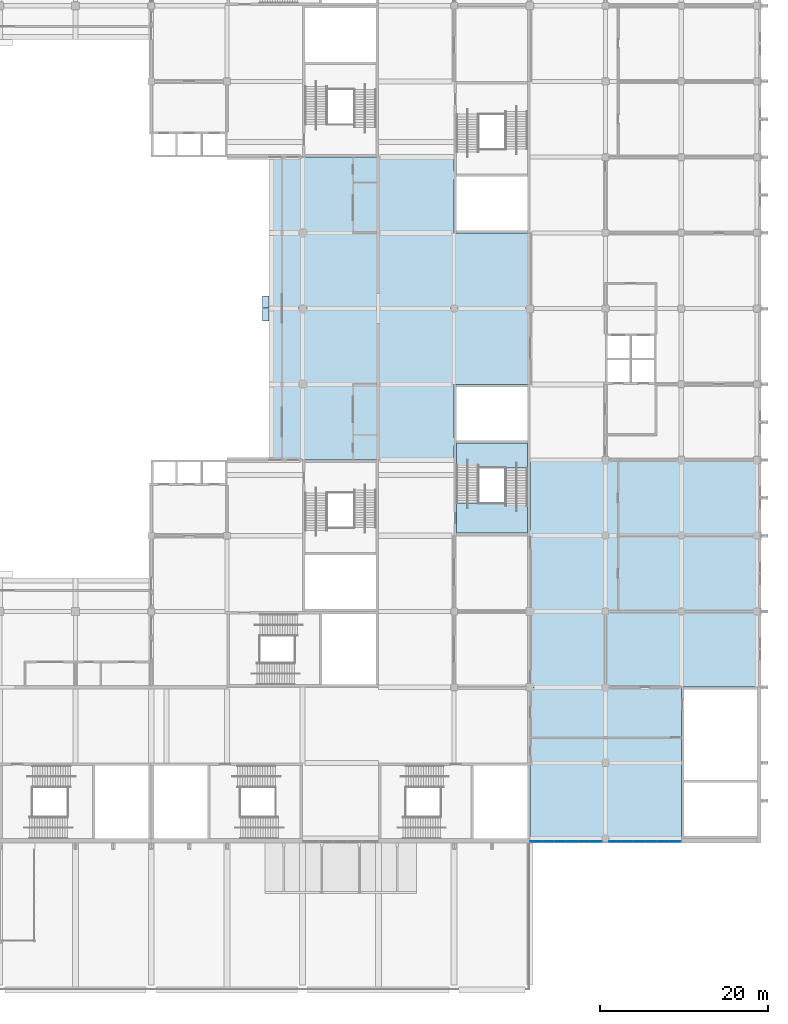
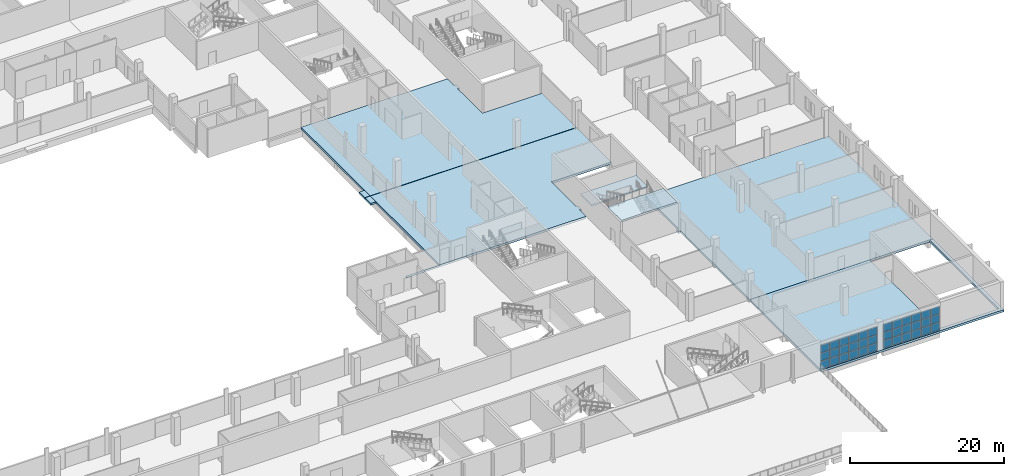
# One storey, part 85 of 168: 36 plates, 8 slabs, 3 elements without a shape of their own.
"""IFC4 building model written with IfcOpenShell, lengths in metres."""

from ifc_helpers import new_model, si_unit, direction, frame, origin, origin_2d, place, context, subcontext, project, spatial, polyline, rectangle, outline, extrude, material, layer, layer_set, type_object, element, aggregate, save


model = new_model("IFC4")

# Units and contexts
model_context = context("Model", 3, precision=1e-05, world=origin(), true_north=direction((0.0, 1.0)))
body_context = subcontext(model_context, "Body", "Model", "MODEL_VIEW")
ifc_project = project(units=[si_unit("LENGTHUNIT", "METRE"), si_unit("AREAUNIT", "SQUARE_METRE"), si_unit("VOLUMEUNIT", "CUBIC_METRE"), si_unit("PLANEANGLEUNIT", "RADIAN"), si_unit("MASSUNIT", "GRAM", prefix="KILO")], contexts=[model_context])

# Site, building, storey
site_placement = place(None, origin())
site = spatial("IfcSite", under=ifc_project, at=site_placement, CompositionType="ELEMENT")
building_placement = place(site_placement, origin())
building = spatial("IfcBuilding", under=site, at=building_placement, Name="Silverbay Arena", CompositionType="ELEMENT")
storey_placement = place(building_placement, frame((0.0, 0.0, 7.0)))
storey = spatial("IfcBuildingStorey", under=building, at=storey_placement, Name="L01", CompositionType="ELEMENT", Elevation=7.0)

# Curtain wall, plates
ifc_material_1 = material(Name="Aluminium framed curtain wall", Category="aluminium")
curtain_wall_type = type_object("IfcCurtainWallType", Name="Curtain wall 8600 x 3900", PredefinedType="NOTDEFINED", material=ifc_material_1)
curtain_wall_1_placement = place(storey_placement, origin())
curtain_wall_1 = element("IfcCurtainWall", 1, at=curtain_wall_1_placement, inside=storey, type_object=curtain_wall_type, Name="South curtain wall L01 bay 21", PredefinedType="NOTDEFINED")
ifc_material_2 = material(Name="Laminated glass", Category="glass")
ifc_layer_1 = layer(ifc_material_2, 0.028076171875)
ifc_layer_set_1 = layer_set([ifc_layer_1], Name="Laminated glass")
plate_type = type_object("IfcPlateType", Name="Glass panel 28", PredefinedType="CURTAIN_PANEL", material=ifc_layer_set_1)
plate_1_placement = place(storey_placement, frame((207.731689453125, 17.669921875, 0.050048828125), z_axis=(0.0, 0.0, 1.0), x_axis=(1.0, 0.0, 0.0)))
plate_1 = element("IfcPlate", 2, at=plate_1_placement, type_object=plate_type, Name="CW1 panel 1.1", PredefinedType="CURTAIN_PANEL", context=body_context, shape_type="SweptSolid", body=[
    extrude(rectangle(XDim=1.34326171875, YDim=0.028076171875, at=origin_2d()), origin(), (0.0, 0.0, 1.0), 1.22509765625),
])
plate_2_placement = place(storey_placement, frame((207.731689453125, 17.669921875, 1.324951171875), z_axis=(0.0, 0.0, 1.0), x_axis=(1.0, 0.0, 0.0)))
plate_2 = element("IfcPlate", 3, at=plate_2_placement, type_object=plate_type, Name="CW1 panel 1.2", PredefinedType="CURTAIN_PANEL", context=body_context, shape_type="SweptSolid", body=[
    extrude(rectangle(XDim=1.34326171875, YDim=0.028076171875, at=origin_2d()), origin(), (0.0, 0.0, 1.0), 1.25),
])
plate_3_placement = place(storey_placement, frame((207.731689453125, 17.669921875, 2.625), z_axis=(0.0, 0.0, 1.0), x_axis=(1.0, 0.0, 0.0)))
plate_3 = element("IfcPlate", 4, at=plate_3_placement, type_object=plate_type, Name="CW1 panel 1.3", PredefinedType="CURTAIN_PANEL", context=body_context, shape_type="SweptSolid", body=[
    extrude(rectangle(XDim=1.34326171875, YDim=0.028076171875, at=origin_2d()), origin(), (0.0, 0.0, 1.0), 1.22509765625),
])
plate_4_placement = place(storey_placement, frame((209.14990234375, 17.669921875, 0.050048828125), z_axis=(0.0, 0.0, 1.0), x_axis=(1.0, 0.0, 0.0)))
plate_4 = element("IfcPlate", 5, at=plate_4_placement, type_object=plate_type, Name="CW1 panel 2.1", PredefinedType="CURTAIN_PANEL", context=body_context, shape_type="SweptSolid", body=[
    extrude(rectangle(XDim=1.373291015625, YDim=0.028076171875, at=origin_2d()), origin(), (0.0, 0.0, 1.0), 1.22509765625),
])
plate_5_placement = place(storey_placement, frame((209.14990234375, 17.669921875, 1.324951171875), z_axis=(0.0, 0.0, 1.0), x_axis=(1.0, 0.0, 0.0)))
plate_5 = element("IfcPlate", 6, at=plate_5_placement, type_object=plate_type, Name="CW1 panel 2.2", PredefinedType="CURTAIN_PANEL", context=body_context, shape_type="SweptSolid", body=[
    extrude(rectangle(XDim=1.373291015625, YDim=0.028076171875, at=origin_2d()), origin(), (0.0, 0.0, 1.0), 1.25),
])
plate_6_placement = place(storey_placement, frame((209.14990234375, 17.669921875, 2.625), z_axis=(0.0, 0.0, 1.0), x_axis=(1.0, 0.0, 0.0)))
plate_6 = element("IfcPlate", 7, at=plate_6_placement, type_object=plate_type, Name="CW1 panel 2.3", PredefinedType="CURTAIN_PANEL", context=body_context, shape_type="SweptSolid", body=[
    extrude(rectangle(XDim=1.373291015625, YDim=0.028076171875, at=origin_2d()), origin(), (0.0, 0.0, 1.0), 1.22509765625),
])
plate_7_placement = place(storey_placement, frame((210.583251953125, 17.669921875, 0.050048828125), z_axis=(0.0, 0.0, 1.0), x_axis=(1.0, 0.0, 0.0)))
plate_7 = element("IfcPlate", 8, at=plate_7_placement, type_object=plate_type, Name="CW1 panel 3.1", PredefinedType="CURTAIN_PANEL", context=body_context, shape_type="SweptSolid", body=[
    extrude(rectangle(XDim=1.373291015625, YDim=0.028076171875, at=origin_2d()), origin(), (0.0, 0.0, 1.0), 1.22509765625),
])
plate_8_placement = place(storey_placement, frame((210.583251953125, 17.669921875, 1.324951171875), z_axis=(0.0, 0.0, 1.0), x_axis=(1.0, 0.0, 0.0)))
plate_8 = element("IfcPlate", 9, at=plate_8_placement, type_object=plate_type, Name="CW1 panel 3.2", PredefinedType="CURTAIN_PANEL", context=body_context, shape_type="SweptSolid", body=[
    extrude(rectangle(XDim=1.373291015625, YDim=0.028076171875, at=origin_2d()), origin(), (0.0, 0.0, 1.0), 1.25),
])
plate_9_placement = place(storey_placement, frame((210.583251953125, 17.669921875, 2.625), z_axis=(0.0, 0.0, 1.0), x_axis=(1.0, 0.0, 0.0)))
plate_9 = element("IfcPlate", 10, at=plate_9_placement, type_object=plate_type, Name="CW1 panel 3.3", PredefinedType="CURTAIN_PANEL", context=body_context, shape_type="SweptSolid", body=[
    extrude(rectangle(XDim=1.373291015625, YDim=0.028076171875, at=origin_2d()), origin(), (0.0, 0.0, 1.0), 1.22509765625),
])
plate_10_placement = place(storey_placement, frame((212.0166015625, 17.669921875, 0.050048828125), z_axis=(0.0, 0.0, 1.0), x_axis=(1.0, 0.0, 0.0)))
plate_10 = element("IfcPlate", 11, at=plate_10_placement, type_object=plate_type, Name="CW1 panel 4.1", PredefinedType="CURTAIN_PANEL", context=body_context, shape_type="SweptSolid", body=[
    extrude(rectangle(XDim=1.373291015625, YDim=0.028076171875, at=origin_2d()), origin(), (0.0, 0.0, 1.0), 1.22509765625),
])
plate_11_placement = place(storey_placement, frame((212.0166015625, 17.669921875, 1.324951171875), z_axis=(0.0, 0.0, 1.0), x_axis=(1.0, 0.0, 0.0)))
plate_11 = element("IfcPlate", 12, at=plate_11_placement, type_object=plate_type, Name="CW1 panel 4.2", PredefinedType="CURTAIN_PANEL", context=body_context, shape_type="SweptSolid", body=[
    extrude(rectangle(XDim=1.373291015625, YDim=0.028076171875, at=origin_2d()), origin(), (0.0, 0.0, 1.0), 1.25),
])
plate_12_placement = place(storey_placement, frame((212.0166015625, 17.669921875, 2.625), z_axis=(0.0, 0.0, 1.0), x_axis=(1.0, 0.0, 0.0)))
plate_12 = element("IfcPlate", 13, at=plate_12_placement, type_object=plate_type, Name="CW1 panel 4.3", PredefinedType="CURTAIN_PANEL", context=body_context, shape_type="SweptSolid", body=[
    extrude(rectangle(XDim=1.373291015625, YDim=0.028076171875, at=origin_2d()), origin(), (0.0, 0.0, 1.0), 1.22509765625),
])
plate_13_placement = place(storey_placement, frame((213.449951171875, 17.669921875, 0.050048828125), z_axis=(0.0, 0.0, 1.0), x_axis=(1.0, 0.0, 0.0)))
plate_13 = element("IfcPlate", 14, at=plate_13_placement, type_object=plate_type, Name="CW1 panel 5.1", PredefinedType="CURTAIN_PANEL", context=body_context, shape_type="SweptSolid", body=[
    extrude(rectangle(XDim=1.373291015625, YDim=0.028076171875, at=origin_2d()), origin(), (0.0, 0.0, 1.0), 1.22509765625),
])
plate_14_placement = place(storey_placement, frame((213.449951171875, 17.669921875, 1.324951171875), z_axis=(0.0, 0.0, 1.0), x_axis=(1.0, 0.0, 0.0)))
plate_14 = element("IfcPlate", 15, at=plate_14_placement, type_object=plate_type, Name="CW1 panel 5.2", PredefinedType="CURTAIN_PANEL", context=body_context, shape_type="SweptSolid", body=[
    extrude(rectangle(XDim=1.373291015625, YDim=0.028076171875, at=origin_2d()), origin(), (0.0, 0.0, 1.0), 1.25),
])
plate_15_placement = place(storey_placement, frame((213.449951171875, 17.669921875, 2.625), z_axis=(0.0, 0.0, 1.0), x_axis=(1.0, 0.0, 0.0)))
plate_15 = element("IfcPlate", 16, at=plate_15_placement, type_object=plate_type, Name="CW1 panel 5.3", PredefinedType="CURTAIN_PANEL", context=body_context, shape_type="SweptSolid", body=[
    extrude(rectangle(XDim=1.373291015625, YDim=0.028076171875, at=origin_2d()), origin(), (0.0, 0.0, 1.0), 1.22509765625),
])
plate_16_placement = place(storey_placement, frame((214.868408203125, 17.669921875, 0.050048828125), z_axis=(0.0, 0.0, 1.0), x_axis=(1.0, 0.0, 0.0)))
plate_16 = element("IfcPlate", 17, at=plate_16_placement, type_object=plate_type, Name="CW1 panel 6.1", PredefinedType="CURTAIN_PANEL", context=body_context, shape_type="SweptSolid", body=[
    extrude(rectangle(XDim=1.34326171875, YDim=0.028076171875, at=origin_2d()), origin(), (0.0, 0.0, 1.0), 1.22509765625),
])
plate_17_placement = place(storey_placement, frame((214.868408203125, 17.669921875, 1.324951171875), z_axis=(0.0, 0.0, 1.0), x_axis=(1.0, 0.0, 0.0)))
plate_17 = element("IfcPlate", 18, at=plate_17_placement, type_object=plate_type, Name="CW1 panel 6.2", PredefinedType="CURTAIN_PANEL", context=body_context, shape_type="SweptSolid", body=[
    extrude(rectangle(XDim=1.34326171875, YDim=0.028076171875, at=origin_2d()), origin(), (0.0, 0.0, 1.0), 1.25),
])
plate_18_placement = place(storey_placement, frame((214.868408203125, 17.669921875, 2.625), z_axis=(0.0, 0.0, 1.0), x_axis=(1.0, 0.0, 0.0)))
plate_18 = element("IfcPlate", 19, at=plate_18_placement, type_object=plate_type, Name="CW1 panel 6.3", PredefinedType="CURTAIN_PANEL", context=body_context, shape_type="SweptSolid", body=[
    extrude(rectangle(XDim=1.34326171875, YDim=0.028076171875, at=origin_2d()), origin(), (0.0, 0.0, 1.0), 1.22509765625),
])
aggregate(curtain_wall_1, [plate_1, plate_2, plate_3, plate_4, plate_5, plate_6, plate_7, plate_8, plate_9, plate_10, plate_11, plate_12, plate_13, plate_14, plate_15, plate_16, plate_17, plate_18])

curtain_wall_2_placement = place(storey_placement, origin())
curtain_wall_2 = element("IfcCurtainWall", 20, at=curtain_wall_2_placement, inside=storey, type_object=curtain_wall_type, Name="South curtain wall L01 bay 22", PredefinedType="NOTDEFINED")
plate_19_placement = place(storey_placement, frame((217.131591796875, 17.669921875, 0.050048828125), z_axis=(0.0, 0.0, 1.0), x_axis=(1.0, 0.0, 0.0)))
plate_19 = element("IfcPlate", 21, at=plate_19_placement, type_object=plate_type, Name="CW1 panel 1.1", PredefinedType="CURTAIN_PANEL", context=body_context, shape_type="SweptSolid", body=[
    extrude(rectangle(XDim=1.34326171875, YDim=0.028076171875, at=origin_2d()), origin(), (0.0, 0.0, 1.0), 1.22509765625),
])
plate_20_placement = place(storey_placement, frame((217.131591796875, 17.669921875, 1.324951171875), z_axis=(0.0, 0.0, 1.0), x_axis=(1.0, 0.0, 0.0)))
plate_20 = element("IfcPlate", 22, at=plate_20_placement, type_object=plate_type, Name="CW1 panel 1.2", PredefinedType="CURTAIN_PANEL", context=body_context, shape_type="SweptSolid", body=[
    extrude(rectangle(XDim=1.34326171875, YDim=0.028076171875, at=origin_2d()), origin(), (0.0, 0.0, 1.0), 1.25),
])
plate_21_placement = place(storey_placement, frame((217.131591796875, 17.669921875, 2.625), z_axis=(0.0, 0.0, 1.0), x_axis=(1.0, 0.0, 0.0)))
plate_21 = element("IfcPlate", 23, at=plate_21_placement, type_object=plate_type, Name="CW1 panel 1.3", PredefinedType="CURTAIN_PANEL", context=body_context, shape_type="SweptSolid", body=[
    extrude(rectangle(XDim=1.34326171875, YDim=0.028076171875, at=origin_2d()), origin(), (0.0, 0.0, 1.0), 1.22509765625),
])
plate_22_placement = place(storey_placement, frame((218.550048828125, 17.669921875, 0.050048828125), z_axis=(0.0, 0.0, 1.0), x_axis=(1.0, 0.0, 0.0)))
plate_22 = element("IfcPlate", 24, at=plate_22_placement, type_object=plate_type, Name="CW1 panel 2.1", PredefinedType="CURTAIN_PANEL", context=body_context, shape_type="SweptSolid", body=[
    extrude(rectangle(XDim=1.373291015625, YDim=0.028076171875, at=origin_2d()), origin(), (0.0, 0.0, 1.0), 1.22509765625),
])
plate_23_placement = place(storey_placement, frame((218.550048828125, 17.669921875, 1.324951171875), z_axis=(0.0, 0.0, 1.0), x_axis=(1.0, 0.0, 0.0)))
plate_23 = element("IfcPlate", 25, at=plate_23_placement, type_object=plate_type, Name="CW1 panel 2.2", PredefinedType="CURTAIN_PANEL", context=body_context, shape_type="SweptSolid", body=[
    extrude(rectangle(XDim=1.373291015625, YDim=0.028076171875, at=origin_2d()), origin(), (0.0, 0.0, 1.0), 1.25),
])
plate_24_placement = place(storey_placement, frame((218.550048828125, 17.669921875, 2.625), z_axis=(0.0, 0.0, 1.0), x_axis=(1.0, 0.0, 0.0)))
plate_24 = element("IfcPlate", 26, at=plate_24_placement, type_object=plate_type, Name="CW1 panel 2.3", PredefinedType="CURTAIN_PANEL", context=body_context, shape_type="SweptSolid", body=[
    extrude(rectangle(XDim=1.373291015625, YDim=0.028076171875, at=origin_2d()), origin(), (0.0, 0.0, 1.0), 1.22509765625),
])
plate_25_placement = place(storey_placement, frame((219.9833984375, 17.669921875, 0.050048828125), z_axis=(0.0, 0.0, 1.0), x_axis=(1.0, 0.0, 0.0)))
plate_25 = element("IfcPlate", 27, at=plate_25_placement, type_object=plate_type, Name="CW1 panel 3.1", PredefinedType="CURTAIN_PANEL", context=body_context, shape_type="SweptSolid", body=[
    extrude(rectangle(XDim=1.373291015625, YDim=0.028076171875, at=origin_2d()), origin(), (0.0, 0.0, 1.0), 1.22509765625),
])
plate_26_placement = place(storey_placement, frame((219.9833984375, 17.669921875, 1.324951171875), z_axis=(0.0, 0.0, 1.0), x_axis=(1.0, 0.0, 0.0)))
plate_26 = element("IfcPlate", 28, at=plate_26_placement, type_object=plate_type, Name="CW1 panel 3.2", PredefinedType="CURTAIN_PANEL", context=body_context, shape_type="SweptSolid", body=[
    extrude(rectangle(XDim=1.373291015625, YDim=0.028076171875, at=origin_2d()), origin(), (0.0, 0.0, 1.0), 1.25),
])
plate_27_placement = place(storey_placement, frame((219.9833984375, 17.669921875, 2.625), z_axis=(0.0, 0.0, 1.0), x_axis=(1.0, 0.0, 0.0)))
plate_27 = element("IfcPlate", 29, at=plate_27_placement, type_object=plate_type, Name="CW1 panel 3.3", PredefinedType="CURTAIN_PANEL", context=body_context, shape_type="SweptSolid", body=[
    extrude(rectangle(XDim=1.373291015625, YDim=0.028076171875, at=origin_2d()), origin(), (0.0, 0.0, 1.0), 1.22509765625),
])
plate_28_placement = place(storey_placement, frame((221.416748046875, 17.669921875, 0.050048828125), z_axis=(0.0, 0.0, 1.0), x_axis=(1.0, 0.0, 0.0)))
plate_28 = element("IfcPlate", 30, at=plate_28_placement, type_object=plate_type, Name="CW1 panel 4.1", PredefinedType="CURTAIN_PANEL", context=body_context, shape_type="SweptSolid", body=[
    extrude(rectangle(XDim=1.373291015625, YDim=0.028076171875, at=origin_2d()), origin(), (0.0, 0.0, 1.0), 1.22509765625),
])
plate_29_placement = place(storey_placement, frame((221.416748046875, 17.669921875, 1.324951171875), z_axis=(0.0, 0.0, 1.0), x_axis=(1.0, 0.0, 0.0)))
plate_29 = element("IfcPlate", 31, at=plate_29_placement, type_object=plate_type, Name="CW1 panel 4.2", PredefinedType="CURTAIN_PANEL", context=body_context, shape_type="SweptSolid", body=[
    extrude(rectangle(XDim=1.373291015625, YDim=0.028076171875, at=origin_2d()), origin(), (0.0, 0.0, 1.0), 1.25),
])
plate_30_placement = place(storey_placement, frame((221.416748046875, 17.669921875, 2.625), z_axis=(0.0, 0.0, 1.0), x_axis=(1.0, 0.0, 0.0)))
plate_30 = element("IfcPlate", 32, at=plate_30_placement, type_object=plate_type, Name="CW1 panel 4.3", PredefinedType="CURTAIN_PANEL", context=body_context, shape_type="SweptSolid", body=[
    extrude(rectangle(XDim=1.373291015625, YDim=0.028076171875, at=origin_2d()), origin(), (0.0, 0.0, 1.0), 1.22509765625),
])
plate_31_placement = place(storey_placement, frame((222.85009765625, 17.669921875, 0.050048828125), z_axis=(0.0, 0.0, 1.0), x_axis=(1.0, 0.0, 0.0)))
plate_31 = element("IfcPlate", 33, at=plate_31_placement, type_object=plate_type, Name="CW1 panel 5.1", PredefinedType="CURTAIN_PANEL", context=body_context, shape_type="SweptSolid", body=[
    extrude(rectangle(XDim=1.373291015625, YDim=0.028076171875, at=origin_2d()), origin(), (0.0, 0.0, 1.0), 1.22509765625),
])
plate_32_placement = place(storey_placement, frame((222.85009765625, 17.669921875, 1.324951171875), z_axis=(0.0, 0.0, 1.0), x_axis=(1.0, 0.0, 0.0)))
plate_32 = element("IfcPlate", 34, at=plate_32_placement, type_object=plate_type, Name="CW1 panel 5.2", PredefinedType="CURTAIN_PANEL", context=body_context, shape_type="SweptSolid", body=[
    extrude(rectangle(XDim=1.373291015625, YDim=0.028076171875, at=origin_2d()), origin(), (0.0, 0.0, 1.0), 1.25),
])
plate_33_placement = place(storey_placement, frame((222.85009765625, 17.669921875, 2.625), z_axis=(0.0, 0.0, 1.0), x_axis=(1.0, 0.0, 0.0)))
plate_33 = element("IfcPlate", 35, at=plate_33_placement, type_object=plate_type, Name="CW1 panel 5.3", PredefinedType="CURTAIN_PANEL", context=body_context, shape_type="SweptSolid", body=[
    extrude(rectangle(XDim=1.373291015625, YDim=0.028076171875, at=origin_2d()), origin(), (0.0, 0.0, 1.0), 1.22509765625),
])
plate_34_placement = place(storey_placement, frame((224.268310546875, 17.669921875, 0.050048828125), z_axis=(0.0, 0.0, 1.0), x_axis=(1.0, 0.0, 0.0)))
plate_34 = element("IfcPlate", 36, at=plate_34_placement, type_object=plate_type, Name="CW1 panel 6.1", PredefinedType="CURTAIN_PANEL", context=body_context, shape_type="SweptSolid", body=[
    extrude(rectangle(XDim=1.34326171875, YDim=0.028076171875, at=origin_2d()), origin(), (0.0, 0.0, 1.0), 1.22509765625),
])
plate_35_placement = place(storey_placement, frame((224.268310546875, 17.669921875, 1.324951171875), z_axis=(0.0, 0.0, 1.0), x_axis=(1.0, 0.0, 0.0)))
plate_35 = element("IfcPlate", 37, at=plate_35_placement, type_object=plate_type, Name="CW1 panel 6.2", PredefinedType="CURTAIN_PANEL", context=body_context, shape_type="SweptSolid", body=[
    extrude(rectangle(XDim=1.34326171875, YDim=0.028076171875, at=origin_2d()), origin(), (0.0, 0.0, 1.0), 1.25),
])
plate_36_placement = place(storey_placement, frame((224.268310546875, 17.669921875, 2.625), z_axis=(0.0, 0.0, 1.0), x_axis=(1.0, 0.0, 0.0)))
plate_36 = element("IfcPlate", 38, at=plate_36_placement, type_object=plate_type, Name="CW1 panel 6.3", PredefinedType="CURTAIN_PANEL", context=body_context, shape_type="SweptSolid", body=[
    extrude(rectangle(XDim=1.34326171875, YDim=0.028076171875, at=origin_2d()), origin(), (0.0, 0.0, 1.0), 1.22509765625),
])
aggregate(curtain_wall_2, [plate_19, plate_20, plate_21, plate_22, plate_23, plate_24, plate_25, plate_26, plate_27, plate_28, plate_29, plate_30, plate_31, plate_32, plate_33, plate_34, plate_35, plate_36])

# Slabs
ifc_material_3 = material(Name="Concrete Grade C45", Category="concrete")
ifc_layer_2 = layer(ifc_material_3, 0.35009765625)
ifc_layer_set_2 = layer_set([ifc_layer_2], Name="Concrete Grade C45")
slab_type_1 = type_object("IfcSlabType", Name="RC floor slab 350", PredefinedType="FLOOR", material=ifc_layer_set_2)
slab_1_placement = place(storey_placement, frame((0.0, 0.0, -0.35009765625)))
element("IfcSlab", 39, at=slab_1_placement, inside=storey, type_object=slab_type_1, Name="Floor slab L01 unit 5", PredefinedType="FLOOR", context=body_context, shape_type="SweptSolid", body=[
    extrude(outline(polyline([(225.0, 35.97509765625), (225.0, 18.0), (234.0, 18.0), (234.0, 35.97509765625), (234.5, 35.97509765625), (234.5, 17.5), (207.0, 17.5), (207.0, 35.97509765625), (225.0, 35.97509765625)])), origin(), (0.0, 0.0, 1.0), 0.35009765625),
])
slab_2_placement = place(storey_placement, frame((0.0, 0.0, -0.35009765625)))
element("IfcSlab", 40, at=slab_2_placement, inside=storey, type_object=slab_type_1, Name="Floor slab L01 unit 10", PredefinedType="FLOOR", context=body_context, shape_type="SweptSolid", body=[
    extrude(outline(polyline([(225.0, 36.0), (225.0, 35.97509765625), (207.0, 35.97509765625), (207.0, 54.0), (206.699951171875, 54.0), (206.699951171875, 54.60009765625), (207.0, 54.60009765625), (207.0, 62.97509765625), (234.5, 62.97509765625), (234.5, 35.97509765625), (234.0, 35.97509765625), (234.0, 36.0), (225.0, 36.0)])), origin(), (0.0, 0.0, 1.0), 0.35009765625),
])
slab_3_placement = place(storey_placement, frame((0.0, 0.0, -0.35009765625)))
element("IfcSlab", 41, at=slab_3_placement, inside=storey, type_object=slab_type_1, Name="Floor slab L01 unit 13", PredefinedType="FLOOR", context=body_context, shape_type="SweptSolid", body=[
    extrude(outline(polyline([(171.0, 63.0), (176.0, 63.0), (176.0, 81.0), (207.0, 81.0), (207.0, 72.0), (198.0, 72.0), (198.0, 65.60009765625), (198.300048828125, 65.60009765625), (198.300048828125, 64.699951171875), (198.0, 64.699951171875), (198.0, 62.97509765625), (189.0, 62.97509765625), (189.0, 63.0), (180.0, 63.0), (180.0, 62.97509765625), (171.0, 62.97509765625), (171.0, 63.0)])), origin(), (0.0, 0.0, 1.0), 0.35009765625),
])
slab_4_placement = place(storey_placement, frame((0.0, 0.0, -0.35009765625)))
element("IfcSlab", 42, at=slab_4_placement, inside=storey, type_object=slab_type_1, Name="Floor slab L01 unit 13 B", PredefinedType="FLOOR", context=body_context, shape_type="SweptSolid", body=[
    extrude(outline(polyline([(176.0, 99.0), (198.0, 99.0), (198.0, 97.300048828125), (198.300048828125, 97.300048828125), (198.300048828125, 96.39990234375), (198.0, 96.39990234375), (198.0, 90.0), (207.0, 90.0), (207.0, 81.050048828125), (176.0, 81.050048828125), (176.0, 99.0)])), origin(), (0.0, 0.0, 1.0), 0.35009765625),
])

# Stair, slabs
ifc_material_4 = material(Name="Concrete Grade C45", Category="concrete")
stair_type = type_object("IfcStairType", Name="Stair 2600 wide 32 risers 140.6 x 300", PredefinedType="HALF_TURN_STAIR", material=ifc_material_4)
stair_placement = place(storey_placement, origin())
stair = element("IfcStair", 43, at=stair_placement, inside=storey, type_object=stair_type, Name="Stair ST-E1 L01 to L02", PredefinedType="HALF_TURN_STAIR")
ifc_material_5 = material(Name="Concrete Grade C45", Category="concrete")
ifc_layer_3 = layer(ifc_material_5, 0.25)
ifc_layer_set_3 = layer_set([ifc_layer_3], Name="Concrete Grade C45")
slab_type_2 = type_object("IfcSlabType", Name="Stair landing RC 250", PredefinedType="LANDING", material=ifc_layer_set_3)
slab_5_placement = place(storey_placement, frame((0.0, 0.0, 2.0)))
slab_5 = element("IfcSlab", 44, at=slab_5_placement, type_object=slab_type_2, Name="Stair ST-E1 L01 to L02 landing 1", PredefinedType="LANDING", context=body_context, shape_type="SweptSolid", body=[
    extrude(outline(polyline([(198.300048828125, 62.046630859375), (198.300048828125, 65.0), (206.699951171875, 65.0), (206.699951171875, 62.046630859375), (198.300048828125, 62.046630859375)])), origin(), (0.0, 0.0, 1.0), 0.25),
])
slab_6_placement = place(storey_placement, frame((0.0, 0.0, 4.25)))
slab_6 = element("IfcSlab", 45, at=slab_6_placement, type_object=slab_type_2, Name="Stair ST-E1 L01 to L02 landing 2", PredefinedType="LANDING", context=body_context, shape_type="SweptSolid", body=[
    extrude(outline(polyline([(198.300048828125, 54.300048828125), (198.300048828125, 57.89990234375), (206.699951171875, 57.89990234375), (206.699951171875, 54.300048828125), (198.300048828125, 54.300048828125)])), origin(), (0.0, 0.0, 1.0), 0.25),
])
aggregate(stair, [slab_5, slab_6])

# Slabs
ifc_material_6 = material(Name="Concrete Grade C45", Category="concrete")
ifc_layer_4 = layer(ifc_material_6, 0.300048828125)
ifc_layer_set_4 = layer_set([ifc_layer_4], Name="Concrete Grade C45")
slab_type_3 = type_object("IfcSlabType", Name="Vomitory head slab RC 300", PredefinedType="FLOOR", material=ifc_layer_set_4)
slab_7_placement = place(storey_placement, frame((0.0, 0.0, -0.300048828125)))
element("IfcSlab", 46, at=slab_7_placement, inside=storey, type_object=slab_type_3, Name="Vomitory head slab V11", PredefinedType="FLOOR", context=body_context, shape_type="SweptSolid", body=[
    extrude(outline(polyline([(175.199951171875, 79.5), (176.0, 79.5), (176.0, 81.0), (175.199951171875, 81.0), (175.199951171875, 79.5)])), origin(), (0.0, 0.0, 1.0), 0.300048828125),
])
slab_8_placement = place(storey_placement, frame((0.0, 0.0, -0.300048828125)))
element("IfcSlab", 47, at=slab_8_placement, inside=storey, type_object=slab_type_3, Name="Vomitory head slab V11 B", PredefinedType="FLOOR", context=body_context, shape_type="SweptSolid", body=[
    extrude(outline(polyline([(175.199951171875, 81.050048828125), (176.0, 81.050048828125), (176.0, 82.5), (175.199951171875, 82.5), (175.199951171875, 81.050048828125)])), origin(), (0.0, 0.0, 1.0), 0.300048828125),
])

save(model, "model.ifc")
